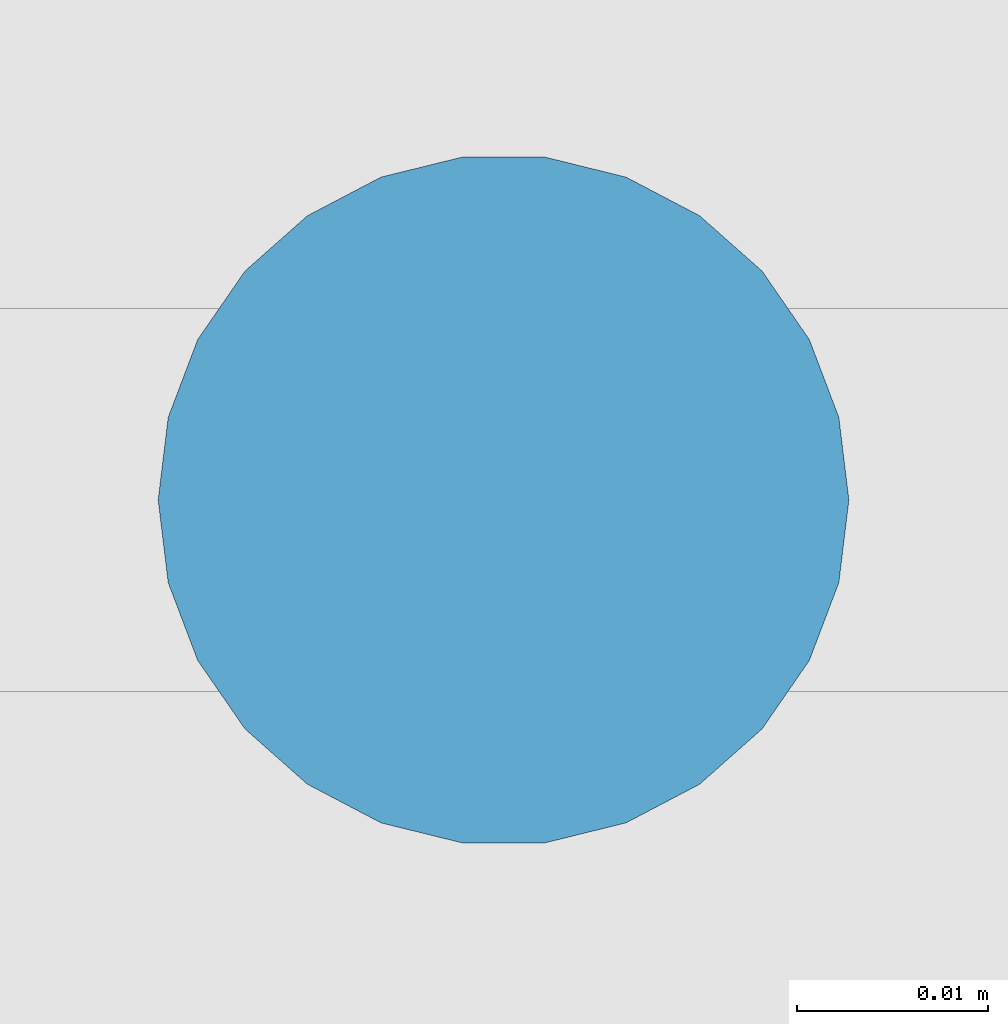
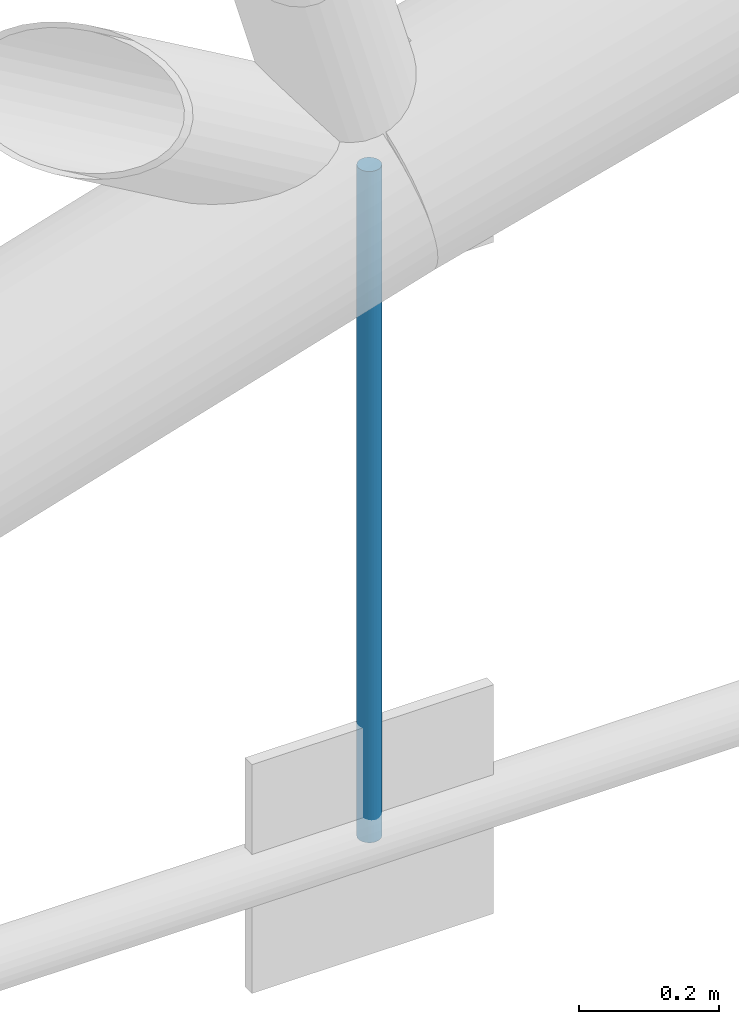
# One storey, part 162 of 321: 1 member.
"""IFC4 building model written with IfcOpenShell, lengths in metres."""

from ifc_helpers import new_model, si_unit, direction, frame, origin, origin_2d, place, context, subcontext, project, spatial, circle, extrude, material, material_profile, profile_set, type_object, element, save


model = new_model("IFC4")

# Units and contexts
model_context = context("Model", 3, precision=1e-05, world=origin(), true_north=direction((0.0, 1.0)))
body_context = subcontext(model_context, "Body", "Model", "MODEL_VIEW")
ifc_project = project(units=[si_unit("LENGTHUNIT", "METRE"), si_unit("AREAUNIT", "SQUARE_METRE"), si_unit("VOLUMEUNIT", "CUBIC_METRE"), si_unit("PLANEANGLEUNIT", "RADIAN"), si_unit("MASSUNIT", "GRAM", prefix="KILO")], contexts=[model_context])

# Site, building, storey
site_placement = place(None, origin())
site = spatial("IfcSite", under=ifc_project, at=site_placement, CompositionType="ELEMENT")
building_placement = place(site_placement, origin())
building = spatial("IfcBuilding", under=site, at=building_placement, Name="Ravi Spectrum Wholesale Market", CompositionType="ELEMENT")
storey_placement = place(building_placement, frame((0.0, 0.0, 10.800048828125)))
storey = spatial("IfcBuildingStorey", under=building, at=storey_placement, Name="L02", CompositionType="ELEMENT", Elevation=10.800048828125)

# Member
ifc_material = material(Name="Steel S355", Category="steel")
ifc_material_profile = material_profile(ifc_material, circle(Radius=0.01806640625, at=origin_2d()))
ifc_profile_set = profile_set([ifc_material_profile], Name="Steel S355")
member_type = type_object("IfcMemberType", Name="ROD 36 hanger", PredefinedType="STRUT", material=ifc_profile_set)
member_placement = place(storey_placement, frame((43.88427734375, 174.0, 0.0), z_axis=(0.0, 0.0, 1.0), x_axis=(1.0, 0.0, 0.0)))
element("IfcMember", 1, at=member_placement, inside=storey, type_object=member_type, Name="H1-MB-L02-1067", PredefinedType="STRUT", context=body_context, shape_type="SweptSolid", body=[
    extrude(circle(Radius=0.01806640625, at=origin_2d()), origin(), (0.0, 0.0, 1.0), 1.173095703125),
])

save(model, "model.ifc")
